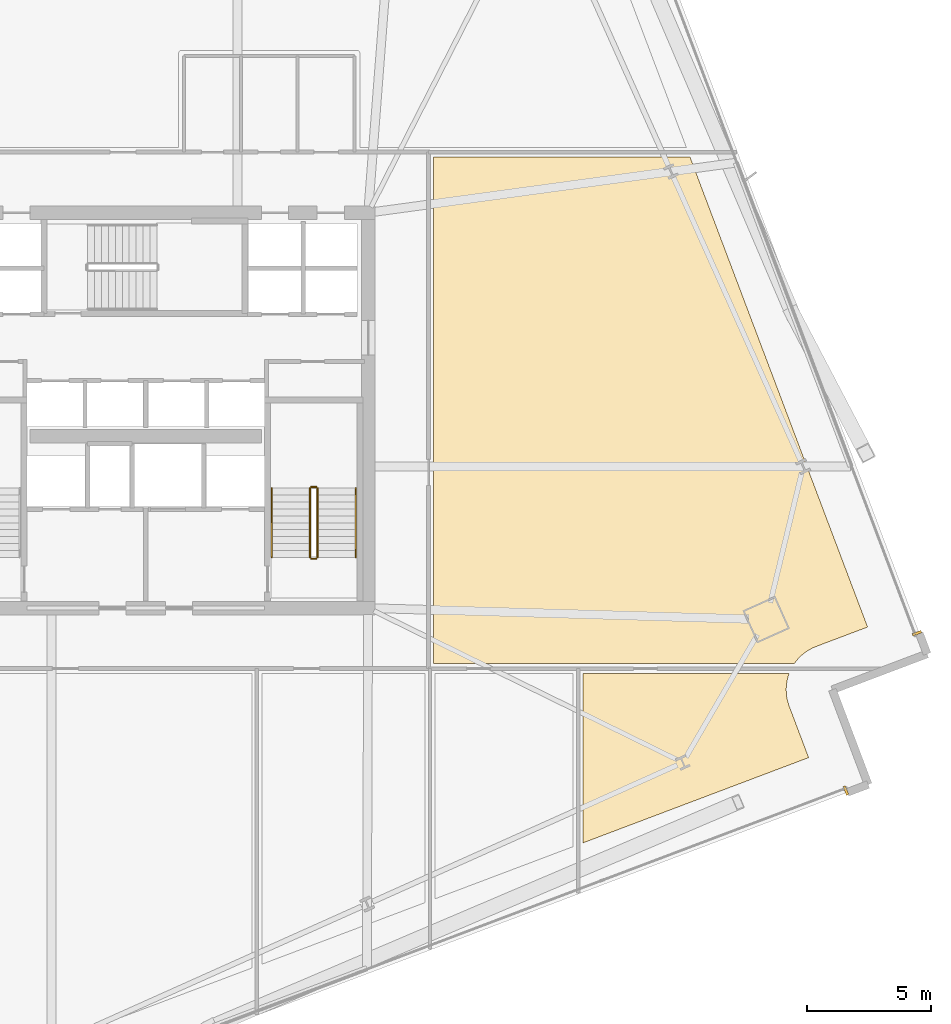
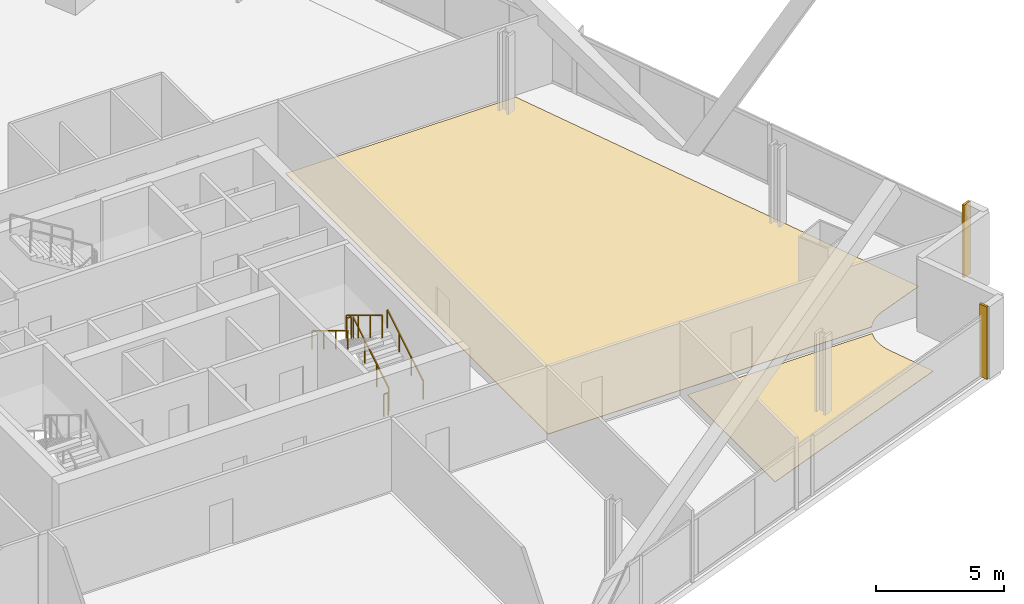
# One storey, part 35 of 37: 6 railings, 4 coverings.
"""IFC4 building model written with IfcOpenShell, lengths in metres."""

from ifc_helpers import new_model, si_unit, direction, frame, origin, origin_2d, place, context, subcontext, project, spatial, polyline, rectangle, outline, extrude, source, transform, mapped, material, layer, layer_set, type_object, element, save


model = new_model("IFC4")

# Units and contexts
model_context = context("Model", 3, precision=1e-05, world=origin(), true_north=direction((0.0, 1.0)))
body_context = subcontext(model_context, "Body", "Model", "MODEL_VIEW")
ifc_project = project(units=[si_unit("LENGTHUNIT", "METRE"), si_unit("AREAUNIT", "SQUARE_METRE"), si_unit("VOLUMEUNIT", "CUBIC_METRE"), si_unit("PLANEANGLEUNIT", "RADIAN"), si_unit("MASSUNIT", "GRAM", prefix="KILO")], contexts=[model_context])

# Site, building, storey
site_placement = place(None, origin())
site = spatial("IfcSite", under=ifc_project, at=site_placement, CompositionType="ELEMENT")
building_placement = place(site_placement, origin())
building = spatial("IfcBuilding", under=site, at=building_placement, Name="Haldenkirk Collegiate Tower", CompositionType="ELEMENT")
storey_placement = place(building_placement, frame((0.0, 0.0, 97.949951171875)))
storey = spatial("IfcBuildingStorey", under=building, at=storey_placement, Name="L23", CompositionType="ELEMENT", Elevation=97.949951171875)

# Coverings
ifc_material_1 = material(Name="Engineered collegiate oak acoustic flooring", Category="wood")
ifc_layer_1 = layer(ifc_material_1, 0.02197265625)
ifc_layer_set_1 = layer_set([ifc_layer_1], Name="Engineered collegiate oak acoustic flooring")
covering_type_1 = type_object("IfcCoveringType", Name="COV-FLOOR-TIMBER", PredefinedType="FLOORING", material=ifc_layer_set_1)
covering_1_placement = place(storey_placement, origin())
element("IfcCovering", 1, at=covering_1_placement, inside=storey, type_object=covering_type_1, Name="L23 academic room finish 05", PredefinedType="FLOORING", context=body_context, shape_type="SweptSolid", body=[
    extrude(outline(polyline([(62.041748046875, 15.35009765625), (62.021240234375, 15.2978515625), (62.017333984375, 15.28662109375), (61.970458984375, 15.121337890625), (61.9677734375, 15.10986328125), (61.937255859375, 14.94091796875), (61.935791015625, 14.92919921875), (61.922119140625, 14.758056640625), (61.921630859375, 14.746337890625), (61.924560546875, 14.57470703125), (61.92529296875, 14.56298828125), (61.9453125, 14.392333984375), (61.947021484375, 14.380615234375), (61.983642578125, 14.212890625), (61.98681640625, 14.201416015625), (62.03955078125, 14.037841796875), (62.04150390625, 14.032470703125), (62.82958984375, 11.9462890625), (53.699951171875, 8.49658203125), (53.699951171875, 15.35009765625), (62.041748046875, 15.35009765625)])), origin(), (0.0, 0.0, 1.0), 0.02197265625),
])
covering_2_placement = place(storey_placement, origin())
element("IfcCovering", 2, at=covering_2_placement, inside=storey, type_object=covering_type_1, Name="L23 academic room finish 11", PredefinedType="FLOORING", context=body_context, shape_type="SweptSolid", body=[
    extrude(outline(polyline([(63.129638671875, 16.442626953125), (63.124267578125, 16.4404296875), (62.966796875, 16.371826171875), (62.956298828125, 16.36669921875), (62.80615234375, 16.283203125), (62.796142578125, 16.27685546875), (62.6552734375, 16.178955078125), (62.645751953125, 16.171875), (62.514892578125, 16.060546875), (62.506591796875, 16.052490234375), (62.38720703125, 15.9287109375), (62.37939453125, 15.919921875), (62.272705078125, 15.785400390625), (62.26611328125, 15.77587890625), (62.24951171875, 15.75), (47.64990234375, 15.75), (47.64990234375, 36.25), (58.029052734375, 36.25), (65.2158203125, 17.23095703125), (63.129638671875, 16.442626953125)])), origin(), (0.0, 0.0, 1.0), 0.02197265625),
])

# Railings
ifc_material_2 = material(Name="Painted architectural tubular steel", Category="steel")
railing_type_1 = type_object("IfcRailingType", Name="RLG-STAIR-GUARD-1100", PredefinedType="BALUSTRADE", material=ifc_material_2)
railing_1_placement = place(storey_placement, frame((42.949951171875, 20.050048828125, 0.17041015625)))
element("IfcRailing", 3, at=railing_1_placement, inside=storey, type_object=railing_type_1, Name="L23 ST-2 stair guard 1", PredefinedType="BALUSTRADE", context=body_context, shape_type="SweptSolid", body=[
    extrude(rectangle(XDim=0.048095703125, YDim=0.048095703125, at=origin_2d()), frame((0.0, 0.0, 1.076171875), z_axis=(0.0, 0.854169791009, 0.51999420009), x_axis=(-1.0, 0.0, 0.0)), (0.0, 0.0, 1.0), 3.278076171875),
    extrude(rectangle(XDim=0.0419921875, YDim=0.0419921875, at=origin_2d()), origin(), (0.0, 0.0, 1.0), 1.052001953125),
    extrude(rectangle(XDim=0.0419921875, YDim=0.0419921875, at=origin_2d()), frame((0.0, 0.933349609375, 0.568115234375)), (0.0, 0.0, 1.0), 1.052001953125),
    extrude(rectangle(XDim=0.0419921875, YDim=0.0419921875, at=origin_2d()), frame((0.0, 1.86669921875, 1.136474609375)), (0.0, 0.0, 1.0), 1.052001953125),
    extrude(rectangle(XDim=0.0419921875, YDim=0.0419921875, at=origin_2d()), frame((0.0, 2.800048828125, 1.70458984375)), (0.0, 0.0, 1.0), 1.052001953125),
])
railing_2_placement = place(storey_placement, frame((42.89990234375, 22.89990234375, 1.875)))
element("IfcRailing", 4, at=railing_2_placement, inside=storey, type_object=railing_type_1, Name="L23 ST-2 stair guard 2", PredefinedType="BALUSTRADE", context=body_context, shape_type="SweptSolid", body=[
    extrude(rectangle(XDim=0.048095703125, YDim=0.048095703125, at=origin_2d()), frame((0.0, 0.0, 1.076171875), z_axis=(-1.0, 0.0, 0.0), x_axis=(0.0, -1.0, 0.0)), (0.0, 0.0, 1.0), 0.199951171875),
    extrude(rectangle(XDim=0.0419921875, YDim=0.0419921875, at=origin_2d()), origin(), (0.0, 0.0, 1.0), 1.052001953125),
    extrude(rectangle(XDim=0.0419921875, YDim=0.0419921875, at=origin_2d()), frame((-0.199951171875, 0.0, 0.0)), (0.0, 0.0, 1.0), 1.052001953125),
])
railing_3_placement = place(storey_placement, frame((42.64990234375, 22.85009765625, 2.04541015625)))
element("IfcRailing", 5, at=railing_3_placement, inside=storey, type_object=railing_type_1, Name="L23 ST-2 stair guard 3", PredefinedType="BALUSTRADE", context=body_context, shape_type="SweptSolid", body=[
    extrude(rectangle(XDim=0.048095703125, YDim=0.048095703125, at=origin_2d()), frame((0.0, 0.0, 1.076171875), z_axis=(0.0, -0.854169791009, 0.51999420009), x_axis=(1.0, 0.0, 0.0)), (0.0, 0.0, 1.0), 3.278076171875),
    extrude(rectangle(XDim=0.0419921875, YDim=0.0419921875, at=origin_2d()), origin(), (0.0, 0.0, 1.0), 1.052001953125),
    extrude(rectangle(XDim=0.0419921875, YDim=0.0419921875, at=origin_2d()), frame((0.0, -0.933349609375, 0.568115234375)), (0.0, 0.0, 1.0), 1.052001953125),
    extrude(rectangle(XDim=0.0419921875, YDim=0.0419921875, at=origin_2d()), frame((0.0, -1.86669921875, 1.136474609375)), (0.0, 0.0, 1.0), 1.052001953125),
    extrude(rectangle(XDim=0.0419921875, YDim=0.0419921875, at=origin_2d()), frame((0.0, -2.800048828125, 1.70458984375)), (0.0, 0.0, 1.0), 1.052001953125),
])
railing_4_placement = place(storey_placement, frame((42.89990234375, 20.0, 0.0)))
element("IfcRailing", 6, at=railing_4_placement, inside=storey, type_object=railing_type_1, Name="L23 ST-2 stair guard 4", PredefinedType="BALUSTRADE", context=body_context, shape_type="SweptSolid", body=[
    extrude(rectangle(XDim=0.048095703125, YDim=0.048095703125, at=origin_2d()), frame((0.0, 0.0, 1.076171875), z_axis=(-1.0, 0.0, 0.0), x_axis=(0.0, -1.0, 0.0)), (0.0, 0.0, 1.0), 0.199951171875),
    extrude(rectangle(XDim=0.0419921875, YDim=0.0419921875, at=origin_2d()), origin(), (0.0, 0.0, 1.0), 1.052001953125),
    extrude(rectangle(XDim=0.0419921875, YDim=0.0419921875, at=origin_2d()), frame((-0.199951171875, 0.0, 0.0)), (0.0, 0.0, 1.0), 1.052001953125),
])
railing_type_2 = type_object("IfcRailingType", Name="RLG-STAIR-HANDRAIL-900", PredefinedType="HANDRAIL", material=ifc_material_2)
railing_5_placement = place(storey_placement, frame((44.5, 20.050048828125, 0.17041015625)))
element("IfcRailing", 7, at=railing_5_placement, inside=storey, type_object=railing_type_2, Name="L23 ST-2 stair handrail 1", PredefinedType="HANDRAIL", context=body_context, shape_type="SweptSolid", body=[
    extrude(rectangle(XDim=0.048095703125, YDim=0.048095703125, at=origin_2d()), frame((0.0, 0.0, 0.8759765625), z_axis=(0.0, 0.854169791009, 0.51999420009), x_axis=(-1.0, 0.0, 0.0)), (0.0, 0.0, 1.0), 3.278076171875),
    extrude(rectangle(XDim=0.0419921875, YDim=0.0419921875, at=origin_2d()), origin(), (0.0, 0.0, 1.0), 0.851806640625),
    extrude(rectangle(XDim=0.0419921875, YDim=0.0419921875, at=origin_2d()), frame((0.0, 0.933349609375, 0.568115234375)), (0.0, 0.0, 1.0), 0.851806640625),
    extrude(rectangle(XDim=0.0419921875, YDim=0.0419921875, at=origin_2d()), frame((0.0, 1.86669921875, 1.136474609375)), (0.0, 0.0, 1.0), 0.851806640625),
    extrude(rectangle(XDim=0.0419921875, YDim=0.0419921875, at=origin_2d()), frame((0.0, 2.800048828125, 1.70458984375)), (0.0, 0.0, 1.0), 0.851806640625),
])
railing_6_placement = place(storey_placement, frame((41.10009765625, 22.85009765625, 2.04541015625)))
element("IfcRailing", 8, at=railing_6_placement, inside=storey, type_object=railing_type_2, Name="L23 ST-2 stair handrail 2", PredefinedType="HANDRAIL", context=body_context, shape_type="SweptSolid", body=[
    extrude(rectangle(XDim=0.048095703125, YDim=0.048095703125, at=origin_2d()), frame((0.0, 0.0, 0.8759765625), z_axis=(0.0, -0.854169791009, 0.51999420009), x_axis=(1.0, 0.0, 0.0)), (0.0, 0.0, 1.0), 3.278076171875),
    extrude(rectangle(XDim=0.0419921875, YDim=0.0419921875, at=origin_2d()), origin(), (0.0, 0.0, 1.0), 0.851806640625),
    extrude(rectangle(XDim=0.0419921875, YDim=0.0419921875, at=origin_2d()), frame((0.0, -0.933349609375, 0.568115234375)), (0.0, 0.0, 1.0), 0.851806640625),
    extrude(rectangle(XDim=0.0419921875, YDim=0.0419921875, at=origin_2d()), frame((0.0, -1.86669921875, 1.136474609375)), (0.0, 0.0, 1.0), 0.851806640625),
    extrude(rectangle(XDim=0.0419921875, YDim=0.0419921875, at=origin_2d()), frame((0.0, -2.800048828125, 1.70458984375)), (0.0, 0.0, 1.0), 0.851806640625),
])

# Coverings
ifc_material_3 = material(Name="Anodised architectural bronze aluminium", Category="aluminium")
ifc_layer_2 = layer(ifc_material_3, 0.06005859375)
ifc_layer_set_2 = layer_set([ifc_layer_2], Name="Anodised architectural bronze aluminium")
covering_type_2 = type_object("IfcCoveringType", Name="COV-CLAD-BRONZE-60", PredefinedType="CLADDING", material=ifc_layer_set_2)
shared_shape = source(origin(), body_context, "Body", "SweptSolid", [
    extrude(rectangle(XDim=0.10009765625, YDim=0.3798828125, at=origin_2d()), origin(), (0.0, 0.0, 1.0), 3.449951171875),
])
for number, where, z_axis, x_axis, name in (
    (9, (64.338134765625, 10.613525390625, 0.0), (0.0, 0.0, 1.0), (-0.93544403083, -0.353474843779, 0.0), "L23 recessed curtain-wall bronze jamb closure SJL"),
    (10, (67.213134765625, 16.980712890625, 0.0), (0.0, 0.0, 1.0), (0.353474843779, -0.93544403083, 0.0), "L23 recessed curtain-wall bronze jamb closure EJR"),
):
    element("IfcCovering", number, at=place(storey_placement, frame(where, z_axis=z_axis, x_axis=x_axis)), inside=storey, type_object=covering_type_2, Name=name, PredefinedType="CLADDING", context=body_context, shape_type="MappedRepresentation", body=[
        mapped(shared_shape, transform((0.0, 0.0, 0.0), x_axis=(1.0, 0.0, 0.0), y_axis=(0.0, 1.0, 0.0), z_axis=(0.0, 0.0, 1.0), scale=1.0)),
    ])

save(model, "model.ifc")
